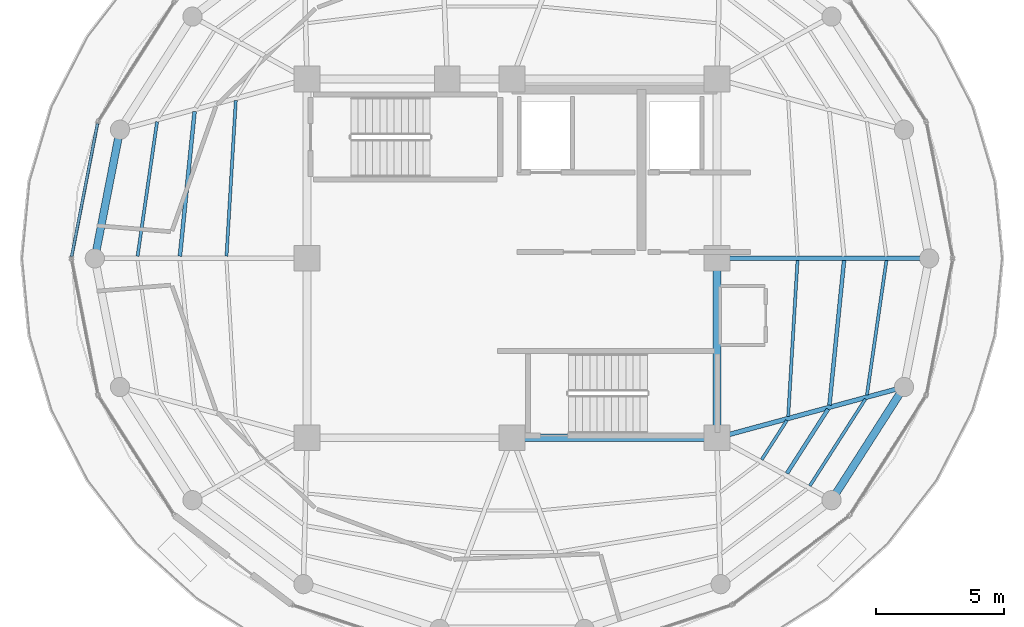
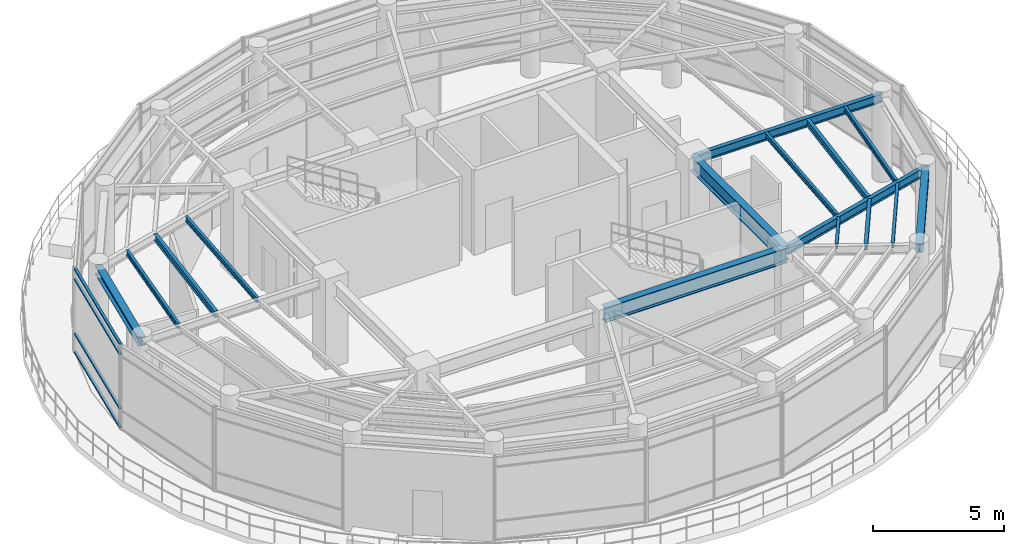
# One storey, part 8 of 20: 15 beams, 4 members, 1 element without a shape of its own.
"""IFC4 building model written with IfcOpenShell, lengths in metres."""

from ifc_helpers import new_model, si_unit, direction, frame, origin, origin_2d, place, context, subcontext, project, spatial, hollow_rectangle, i_section, extrude, material, layer, layer_set, material_profile, profile_set, type_object, element, aggregate, save


model = new_model("IFC4")

# Units and contexts
model_context = context("Model", 3, precision=1e-05, world=origin(), true_north=direction((0.0, 1.0)))
body_context = subcontext(model_context, "Body", "Model", "MODEL_VIEW")
ifc_project = project(units=[si_unit("LENGTHUNIT", "METRE"), si_unit("AREAUNIT", "SQUARE_METRE"), si_unit("VOLUMEUNIT", "CUBIC_METRE"), si_unit("PLANEANGLEUNIT", "RADIAN"), si_unit("MASSUNIT", "GRAM", prefix="KILO")], contexts=[model_context])

# Site, building, storey
site_placement = place(None, origin())
site = spatial("IfcSite", under=ifc_project, at=site_placement, CompositionType="ELEMENT")
building_placement = place(site_placement, origin())
building = spatial("IfcBuilding", under=site, at=building_placement, Name="Kelanora Arch Commons", CompositionType="ELEMENT")
storey_placement = place(building_placement, frame((0.0, 0.0, 298.5)))
storey = spatial("IfcBuildingStorey", under=building, at=storey_placement, Name="L76", CompositionType="ELEMENT", Elevation=298.5)

# Beams
ifc_material_1 = material(Name="Steel S355", Category="steel")
ifc_material_profile_1 = material_profile(ifc_material_1, i_section(OverallWidth=0.300048828125, OverallDepth=0.699951171875, WebThickness=0.01708984375, FlangeThickness=0.031982421875, FilletRadius=0.027099609375, at=origin_2d()), Name="HEB700")
ifc_profile_set_1 = profile_set([ifc_material_profile_1], Name="Steel S355")
beam_type_1 = type_object("IfcBeamType", Name="BM-CORE-HDR", PredefinedType="BEAM", material=ifc_profile_set_1)
beam_1_placement = place(storey_placement, frame((74.0, 51.0, 3.590087890625), z_axis=(1.0, 0.0, 0.0), x_axis=(0.0, 1.0, 0.0)))
element("IfcBeam", 1, at=beam_1_placement, inside=storey, type_object=beam_type_1, Name="Core Header Beam 02 L76", PredefinedType="BEAM", context=body_context, shape_type="SweptSolid", body=[
    extrude(i_section(OverallWidth=0.300048828125, OverallDepth=0.699951171875, WebThickness=0.01708984375, FlangeThickness=0.031982421875, FilletRadius=0.027099609375, at=origin_2d()), origin(), (0.0, 0.0, 1.0), 8.0),
])
beam_2_placement = place(storey_placement, frame((82.0, 51.0, 3.590087890625), z_axis=(0.0, 1.0, 0.0), x_axis=(-1.0, 0.0, 0.0)))
element("IfcBeam", 2, at=beam_2_placement, inside=storey, type_object=beam_type_1, Name="Core Header Beam 03 L76", PredefinedType="BEAM", context=body_context, shape_type="SweptSolid", body=[
    extrude(i_section(OverallWidth=0.300048828125, OverallDepth=0.699951171875, WebThickness=0.01708984375, FlangeThickness=0.031982421875, FilletRadius=0.027099609375, at=origin_2d()), origin(), (0.0, 0.0, 1.0), 7.0),
])
ifc_material_profile_2 = material_profile(ifc_material_1, i_section(OverallWidth=0.14990234375, OverallDepth=0.300048828125, WebThickness=0.007080078125, FlangeThickness=0.0107421875, FilletRadius=0.014892578125, at=origin_2d()), Name="IPE300")
ifc_profile_set_2 = profile_set([ifc_material_profile_2], Name="Steel S355")
beam_type_2 = type_object("IfcBeamType", Name="BM-JST-01", PredefinedType="JOIST", material=ifc_profile_set_2)
beam_3_placement = place(storey_placement, frame((61.612548828125, 63.72802734375, 3.7900390625), z_axis=(-0.100846008885, -0.994902046682, 0.0), x_axis=(0.994902046682, -0.100846008885, 0.0)))
element("IfcBeam", 3, at=beam_3_placement, inside=storey, type_object=beam_type_2, Name="Secondary Chord Joist BJB-16 L76", PredefinedType="JOIST", context=body_context, shape_type="SweptSolid", body=[
    extrude(i_section(OverallWidth=0.14990234375, OverallDepth=0.300048828125, WebThickness=0.007080078125, FlangeThickness=0.0107421875, FilletRadius=0.014892578125, at=origin_2d()), origin(), (0.0, 0.0, 1.0), 5.672119140625),
])
beam_4_placement = place(storey_placement, frame((84.728515625, 49.60986328125, 3.7900390625), z_axis=(0.539193378054, 0.84218198809, 0.0), x_axis=(-0.84218198809, 0.539193378054, 0.0)))
element("IfcBeam", 4, at=beam_4_placement, inside=storey, type_object=beam_type_2, Name="Secondary Chord Joist BJB-32 L76", PredefinedType="JOIST", context=body_context, shape_type="SweptSolid", body=[
    extrude(i_section(OverallWidth=0.14990234375, OverallDepth=0.300048828125, WebThickness=0.007080078125, FlangeThickness=0.0107421875, FilletRadius=0.014892578125, at=origin_2d()), origin(), (0.0, 0.0, 1.0), 2.975830078125),
])
beam_5_placement = place(storey_placement, frame((86.387451171875, 52.27197265625, 3.7900390625), z_axis=(0.100846008885, 0.994902046682, 0.0), x_axis=(-0.994902046682, 0.100846008885, 0.0)))
element("IfcBeam", 5, at=beam_5_placement, inside=storey, type_object=beam_type_2, Name="Secondary Chord Joist BJB-34 L76", PredefinedType="JOIST", context=body_context, shape_type="SweptSolid", body=[
    extrude(i_section(OverallWidth=0.14990234375, OverallDepth=0.300048828125, WebThickness=0.007080078125, FlangeThickness=0.0107421875, FilletRadius=0.014892578125, at=origin_2d()), origin(), (0.0, 0.0, 1.0), 5.672119140625),
])
ifc_material_profile_3 = material_profile(ifc_material_1, i_section(OverallWidth=0.1201171875, OverallDepth=0.239990234375, WebThickness=0.006103515625, FlangeThickness=0.009765625, FilletRadius=0.014892578125, at=origin_2d()), Name="IPE240")
ifc_profile_set_3 = profile_set([ifc_material_profile_3], Name="Steel S355")
beam_type_3 = type_object("IfcBeamType", Name="BM-JST-02", PredefinedType="JOIST", material=ifc_profile_set_3)
beam_6_placement = place(storey_placement, frame((63.2216796875, 64.1630859375, 3.820068359375), z_axis=(-0.059619828045, -0.998221155909, 0.0), x_axis=(0.998221155909, -0.059619828045, 0.0)))
element("IfcBeam", 6, at=beam_6_placement, inside=storey, type_object=beam_type_3, Name="Secondary Chord Joist BJA-16 L76", PredefinedType="JOIST", context=body_context, shape_type="SweptSolid", body=[
    extrude(i_section(OverallWidth=0.1201171875, OverallDepth=0.239990234375, WebThickness=0.006103515625, FlangeThickness=0.009765625, FilletRadius=0.014892578125, at=origin_2d()), origin(), (0.0, 0.0, 1.0), 6.089111328125),
])
beam_7_placement = place(storey_placement, frame((60.149169921875, 63.33251953125, 3.820068359375), z_axis=(-0.143489842264, -0.989651789857, 0.0), x_axis=(0.989651789857, -0.143489842264, 0.0)))
element("IfcBeam", 7, at=beam_7_placement, inside=storey, type_object=beam_type_3, Name="Secondary Chord Joist BJC-16 L76", PredefinedType="JOIST", context=body_context, shape_type="SweptSolid", body=[
    extrude(i_section(OverallWidth=0.1201171875, OverallDepth=0.239990234375, WebThickness=0.006103515625, FlangeThickness=0.009765625, FilletRadius=0.014892578125, at=origin_2d()), origin(), (0.0, 0.0, 1.0), 5.303466796875),
])
beam_8_placement = place(storey_placement, frame((83.744873046875, 50.14599609375, 3.820068359375), z_axis=(0.539300812993, 0.842113194947, 0.0), x_axis=(-0.842113194947, 0.539300812993, 0.0)))
element("IfcBeam", 8, at=beam_8_placement, inside=storey, type_object=beam_type_3, Name="Secondary Chord Joist BJA-32 L76", PredefinedType="JOIST", context=body_context, shape_type="SweptSolid", body=[
    extrude(i_section(OverallWidth=0.1201171875, OverallDepth=0.239990234375, WebThickness=0.006103515625, FlangeThickness=0.009765625, FilletRadius=0.014892578125, at=origin_2d()), origin(), (0.0, 0.0, 1.0), 1.822021484375),
])
beam_9_placement = place(storey_placement, frame((85.622802734375, 49.122802734375, 3.820068359375), z_axis=(0.539232732312, 0.842156790867, 0.0), x_axis=(-0.842156790867, 0.539232732312, 0.0)))
element("IfcBeam", 9, at=beam_9_placement, inside=storey, type_object=beam_type_3, Name="Secondary Chord Joist BJC-32 L76", PredefinedType="JOIST", context=body_context, shape_type="SweptSolid", body=[
    extrude(i_section(OverallWidth=0.1201171875, OverallDepth=0.239990234375, WebThickness=0.006103515625, FlangeThickness=0.009765625, FilletRadius=0.014892578125, at=origin_2d()), origin(), (0.0, 0.0, 1.0), 4.024169921875),
])
beam_10_placement = place(storey_placement, frame((84.7783203125, 51.8369140625, 3.820068359375), z_axis=(0.059619828045, 0.998221155909, 0.0), x_axis=(-0.998221155909, 0.059619828045, 0.0)))
element("IfcBeam", 10, at=beam_10_placement, inside=storey, type_object=beam_type_3, Name="Secondary Chord Joist BJA-34 L76", PredefinedType="JOIST", context=body_context, shape_type="SweptSolid", body=[
    extrude(i_section(OverallWidth=0.1201171875, OverallDepth=0.239990234375, WebThickness=0.006103515625, FlangeThickness=0.009765625, FilletRadius=0.014892578125, at=origin_2d()), origin(), (0.0, 0.0, 1.0), 6.089111328125),
])
beam_11_placement = place(storey_placement, frame((87.850830078125, 52.66748046875, 3.820068359375), z_axis=(0.143489842264, 0.989651789857, 0.0), x_axis=(-0.989651789857, 0.143489842264, 0.0)))
element("IfcBeam", 11, at=beam_11_placement, inside=storey, type_object=beam_type_3, Name="Secondary Chord Joist BJC-34 L76", PredefinedType="JOIST", context=body_context, shape_type="SweptSolid", body=[
    extrude(i_section(OverallWidth=0.1201171875, OverallDepth=0.239990234375, WebThickness=0.006103515625, FlangeThickness=0.009765625, FilletRadius=0.014892578125, at=origin_2d()), origin(), (0.0, 0.0, 1.0), 5.303466796875),
])
ifc_material_profile_4 = material_profile(ifc_material_1, i_section(OverallWidth=0.179931640625, OverallDepth=0.39990234375, WebThickness=0.008544921875, FlangeThickness=0.013427734375, FilletRadius=0.02099609375, at=origin_2d()), Name="IPE400")
ifc_profile_set_4 = profile_set([ifc_material_profile_4], Name="Steel S355")
beam_type_4 = type_object("IfcBeamType", Name="BM-RAD-Z5", PredefinedType="BEAM", material=ifc_profile_set_4)
beam_12_placement = place(storey_placement, frame((82.0, 58.0, 3.739990234375), z_axis=(1.0, 0.0, 0.0), x_axis=(0.0, 1.0, 0.0)))
element("IfcBeam", 12, at=beam_12_placement, inside=storey, type_object=beam_type_4, Name="Radial Floor Girder BR-00 L76", PredefinedType="BEAM", context=body_context, shape_type="SweptSolid", body=[
    extrude(i_section(OverallWidth=0.179931640625, OverallDepth=0.39990234375, WebThickness=0.008544921875, FlangeThickness=0.013427734375, FilletRadius=0.02099609375, at=origin_2d()), origin(), (0.0, 0.0, 1.0), 8.280029296875),
])
beam_13_placement = place(storey_placement, frame((82.0, 51.0, 3.739990234375), z_axis=(0.965145027625, 0.26171563891, 0.0), x_axis=(-0.26171563891, 0.965145027625, 0.0)))
element("IfcBeam", 13, at=beam_13_placement, inside=storey, type_object=beam_type_4, Name="Radial Floor Girder BR-34 L76", PredefinedType="BEAM", context=body_context, shape_type="SweptSolid", body=[
    extrude(i_section(OverallWidth=0.179931640625, OverallDepth=0.39990234375, WebThickness=0.008544921875, FlangeThickness=0.013427734375, FilletRadius=0.02099609375, at=origin_2d()), origin(), (0.0, 0.0, 1.0), 7.561767578125),
])
ifc_material_profile_5 = material_profile(ifc_material_1, i_section(OverallWidth=0.300048828125, OverallDepth=0.39990234375, WebThickness=0.013427734375, FlangeThickness=0.02392578125, FilletRadius=0.027099609375, at=origin_2d()), Name="HEB400")
ifc_profile_set_5 = profile_set([ifc_material_profile_5], Name="Steel S355")
beam_type_5 = type_object("IfcBeamType", Name="BM-SPN-Z4", PredefinedType="SPANDREL", material=ifc_profile_set_5)
beam_14_placement = place(storey_placement, frame((58.701904296875, 63.02099609375, 3.739990234375), z_axis=(-0.191929675955, -0.981408681176, 0.0), x_axis=(0.981408681176, -0.191929675955, 0.0)))
element("IfcBeam", 14, at=beam_14_placement, inside=storey, type_object=beam_type_5, Name="Perimeter Spandrel Beam BS-16 L76", PredefinedType="SPANDREL", context=body_context, shape_type="SweptSolid", body=[
    extrude(i_section(OverallWidth=0.300048828125, OverallDepth=0.39990234375, WebThickness=0.013427734375, FlangeThickness=0.02392578125, FilletRadius=0.027099609375, at=origin_2d()), origin(), (0.0, 0.0, 1.0), 5.1162109375),
])
beam_15_placement = place(storey_placement, frame((86.47119140625, 48.56396484375, 3.739990234375), z_axis=(0.53922680048, 0.842160588987, 0.0), x_axis=(-0.842160588987, 0.53922680048, 0.0)))
element("IfcBeam", 15, at=beam_15_placement, inside=storey, type_object=beam_type_5, Name="Perimeter Spandrel Beam BS-32 L76", PredefinedType="SPANDREL", context=body_context, shape_type="SweptSolid", body=[
    extrude(i_section(OverallWidth=0.300048828125, OverallDepth=0.39990234375, WebThickness=0.013427734375, FlangeThickness=0.02392578125, FilletRadius=0.027099609375, at=origin_2d()), origin(), (0.0, 0.0, 1.0), 5.242431640625),
])

# Curtain wall, members
ifc_material_2 = material(Name="Terracotta ceramic-fritted low-E glass and aluminium", Category="masonry")
ifc_layer = layer(ifc_material_2, 0.14990234375)
ifc_layer_set = layer_set([ifc_layer], Name="Terracotta ceramic-fritted low-E glass and aluminium")
curtain_wall_type = type_object("IfcCurtainWallType", Name="CW-SYS-06", PredefinedType="NOTDEFINED", material=ifc_layer_set)
curtain_wall_placement = place(storey_placement, origin())
curtain_wall = element("IfcCurtainWall", 16, at=curtain_wall_placement, inside=storey, type_object=curtain_wall_type, Name="Unitised Curtain Wall L76-B08", PredefinedType="NOTDEFINED")
ifc_material_3 = material(Name="Powder-coated aluminium terracotta", Category="masonry")
ifc_material_profile_6 = material_profile(ifc_material_3, hollow_rectangle(XDim=0.1201171875, YDim=0.06005859375, WallThickness=0.0048828125, InnerFilletRadius=0.0048828125, OuterFilletRadius=0.010009765625, at=origin_2d()), Name="CWT120x60")
ifc_profile_set_6 = profile_set([ifc_material_profile_6], Name="Powder-coated aluminium terracotta")
member_type = type_object("IfcMemberType", Name="CWT-STD", PredefinedType="USERDEFINED", material=ifc_profile_set_6)
member_1_placement = place(storey_placement, frame((57.822998046875, 63.261962890625, 0.030029296875), z_axis=(-0.190810315943, -0.981626926755, 0.0), x_axis=(0.981626926755, -0.190810315943, 0.0)))
member_1 = element("IfcMember", 17, at=member_1_placement, type_object=member_type, Name="CW-06 transom 1.1", ObjectType="TRANSOM", PredefinedType="USERDEFINED", context=body_context, shape_type="SweptSolid", body=[
    extrude(hollow_rectangle(XDim=0.1201171875, YDim=0.06005859375, WallThickness=0.0048828125, InnerFilletRadius=0.0048828125, OuterFilletRadius=0.010009765625, at=origin_2d()), origin(), (0.0, 0.0, 1.0), 5.28564453125),
])
member_2_placement = place(storey_placement, frame((57.822998046875, 63.261962890625, 0.89990234375), z_axis=(-0.190810315943, -0.981626926755, 0.0), x_axis=(0.981626926755, -0.190810315943, 0.0)))
member_2 = element("IfcMember", 18, at=member_2_placement, type_object=member_type, Name="CW-06 transom 1.2", ObjectType="TRANSOM", PredefinedType="USERDEFINED", context=body_context, shape_type="SweptSolid", body=[
    extrude(hollow_rectangle(XDim=0.1201171875, YDim=0.06005859375, WallThickness=0.0048828125, InnerFilletRadius=0.0048828125, OuterFilletRadius=0.010009765625, at=origin_2d()), origin(), (0.0, 0.0, 1.0), 5.28564453125),
])
member_3_placement = place(storey_placement, frame((57.822998046875, 63.261962890625, 3.425048828125), z_axis=(-0.190810315943, -0.981626926755, 0.0), x_axis=(0.981626926755, -0.190810315943, 0.0)))
member_3 = element("IfcMember", 19, at=member_3_placement, type_object=member_type, Name="CW-06 transom 1.3", ObjectType="TRANSOM", PredefinedType="USERDEFINED", context=body_context, shape_type="SweptSolid", body=[
    extrude(hollow_rectangle(XDim=0.1201171875, YDim=0.06005859375, WallThickness=0.0048828125, InnerFilletRadius=0.0048828125, OuterFilletRadius=0.010009765625, at=origin_2d()), origin(), (0.0, 0.0, 1.0), 5.28564453125),
])
member_4_placement = place(storey_placement, frame((57.822998046875, 63.261962890625, 3.89501953125), z_axis=(-0.190810315943, -0.981626926755, 0.0), x_axis=(0.981626926755, -0.190810315943, 0.0)))
member_4 = element("IfcMember", 20, at=member_4_placement, type_object=member_type, Name="CW-06 transom 1.4", ObjectType="TRANSOM", PredefinedType="USERDEFINED", context=body_context, shape_type="SweptSolid", body=[
    extrude(hollow_rectangle(XDim=0.1201171875, YDim=0.06005859375, WallThickness=0.0048828125, InnerFilletRadius=0.0048828125, OuterFilletRadius=0.010009765625, at=origin_2d()), origin(), (0.0, 0.0, 1.0), 5.28564453125),
])
aggregate(curtain_wall, [member_1, member_2, member_3, member_4])

save(model, "model.ifc")
